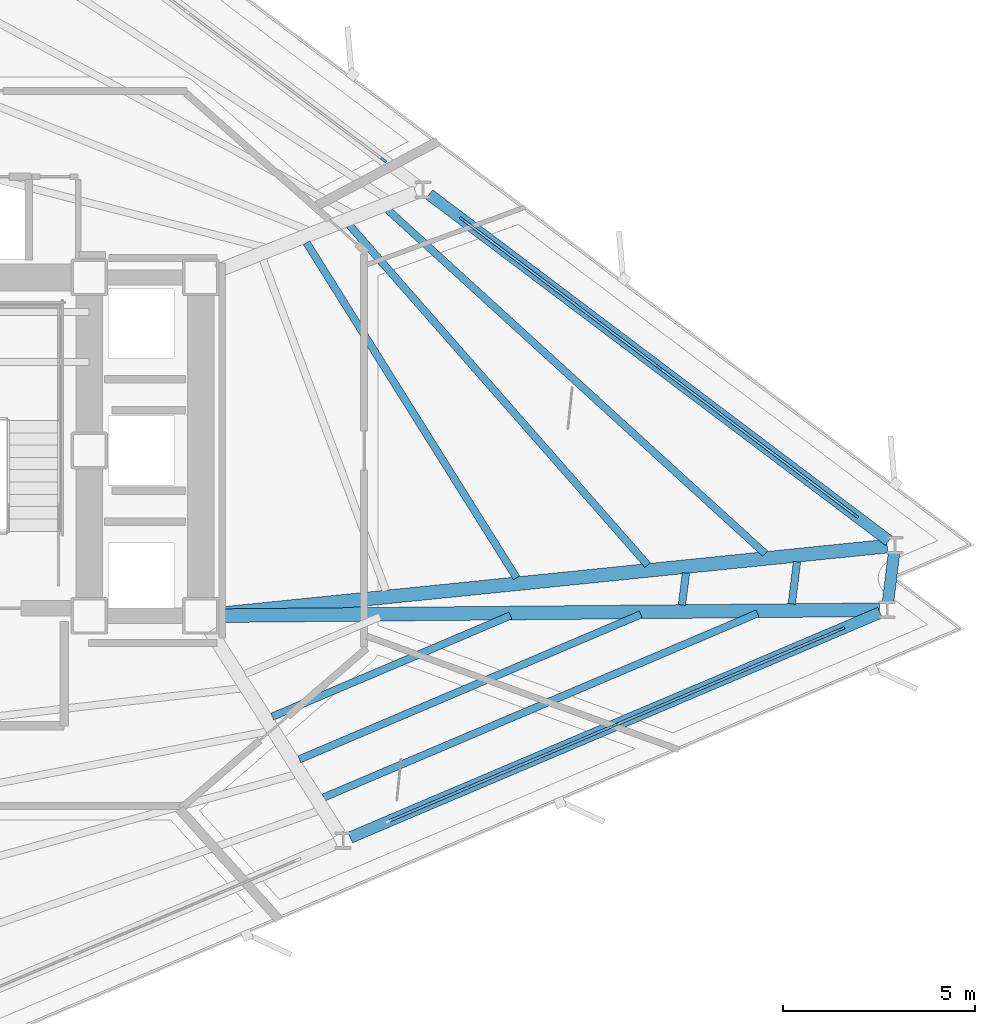
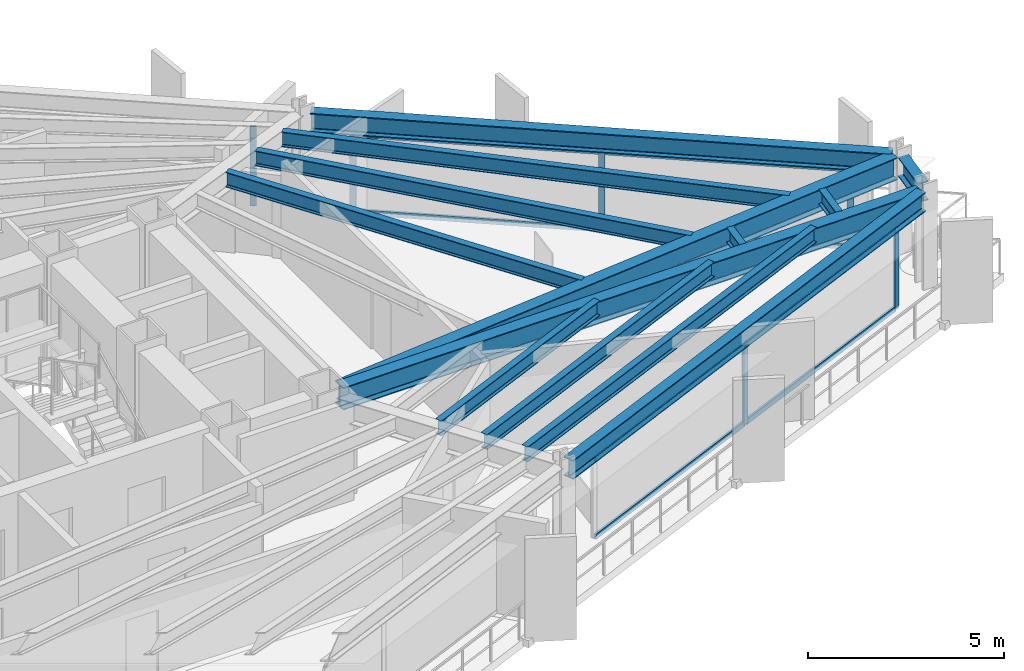
# One storey, part 4 of 13: 14 members, 13 beams, 3 elements without a shape of their own.
"""IFC4 building model written with IfcOpenShell, lengths in metres."""

import ifcopenshell
import ifcopenshell.guid

model = None  # the IFC model being written
_history = None  # IfcOwnerHistory: only IFC2X3 demands one
_inside = {}  # id of a spatial element -> (the spatial element, [elements in it])
_under = {}  # id of a project, library or spatial element -> (it, [spatial elements below it])
_declared = {}  # id of a project -> (the project, [libraries it declares])
_typed = {}  # id of a type object -> (the type object, [elements of that type])
_made_of = {}  # id of a material, layer set ... -> (it, [elements and type objects made of it])


def new_model(schema):
    """Start an empty IFC model of exactly this schema.

    Asked for "IFC4X3", IfcOpenShell would pick the latest addendum, in which some entities
    have other attributes; the version numbers below select the first issue.
    IFC2X3 requires an IfcOwnerHistory on every rooted entity: one is made here for all.
    """
    global model, _history
    if schema == "IFC4X3":
        model = ifcopenshell.file(schema_version=(4, 3, 0, 0))
    else:
        model = ifcopenshell.file(schema=schema)
    _inside.clear()
    _under.clear()
    _declared.clear()
    _typed.clear()
    _made_of.clear()
    _history = None
    if model.schema == "IFC2X3":
        org = make("IfcOrganization", Name="unknown")
        user = make(
            "IfcPersonAndOrganization",
            ThePerson=make("IfcPerson", FamilyName="unknown"),
            TheOrganization=org,
        )
        app = make(
            "IfcApplication",
            ApplicationDeveloper=org,
            Version="unknown",
            ApplicationFullName="unknown",
            ApplicationIdentifier="unknown",
        )
        _history = make(
            "IfcOwnerHistory",
            OwningUser=user,
            OwningApplication=app,
            ChangeAction="ADDED",
            CreationDate=0,
        )
    return model


def make(cls, **values):
    """One entity of the class cls with the attributes given. An attribute that is None is left unset."""
    return model.create_entity(
        cls, **{name: value for name, value in values.items() if value is not None}
    )


def rooted(cls, **values):
    """An entity with a GlobalId (a new one), such as an element, a storey or a relation."""
    return make(cls, GlobalId=ifcopenshell.guid.new(), OwnerHistory=_history, **values)


def si_unit(unit_type, name, prefix=None):
    """IfcSIUnit, for example si_unit("LENGTHUNIT", "METRE", prefix="MILLI")."""
    return make("IfcSIUnit", UnitType=unit_type, Prefix=prefix, Name=name)


def assignment(units):
    """IfcUnitAssignment: the units of a project."""
    return None if units is None else make("IfcUnitAssignment", Units=units)


def point(xyz):
    """IfcCartesianPoint."""
    return None if xyz is None else make("IfcCartesianPoint", Coordinates=xyz)


def direction(xyz):
    """IfcDirection."""
    return None if xyz is None else make("IfcDirection", DirectionRatios=xyz)


def frame(location, z_axis=None, x_axis=None):
    """IfcAxis2Placement3D, a coordinate frame: its origin and axes. An axis left out is left unset."""
    return make(
        "IfcAxis2Placement3D",
        Location=point(location),
        Axis=direction(z_axis),
        RefDirection=direction(x_axis),
    )


def frame_2d(location, x_axis=None):
    """IfcAxis2Placement2D, a coordinate frame in the plane: its origin and x axis."""
    return make(
        "IfcAxis2Placement2D", Location=point(location), RefDirection=direction(x_axis)
    )


def origin():
    """The frame at (0, 0, 0) with its axes left unset."""
    return frame((0.0, 0.0, 0.0))


def origin_2d():
    """The frame at (0, 0) in the plane with its x axis left unset."""
    return frame_2d((0.0, 0.0))


def place(relative_to, where):
    """IfcLocalPlacement: puts the frame where relative to a parent placement (None: the world)."""
    return make(
        "IfcLocalPlacement", PlacementRelTo=relative_to, RelativePlacement=where
    )


def context(
    kind, dimensions, precision=None, world=None, true_north=None, identifier=None
):
    """IfcGeometricRepresentationContext, for example the 3D "Model" context."""
    return make(
        "IfcGeometricRepresentationContext",
        ContextIdentifier=identifier,
        ContextType=kind,
        CoordinateSpaceDimension=dimensions,
        Precision=precision,
        WorldCoordinateSystem=world,
        TrueNorth=true_north,
    )


def subcontext(parent, identifier, kind, view, scale=None):
    """IfcGeometricRepresentationSubContext, for example "Body" below "Model"."""
    return make(
        "IfcGeometricRepresentationSubContext",
        ContextIdentifier=identifier,
        ContextType=kind,
        ParentContext=parent,
        TargetScale=scale,
        TargetView=view,
    )


def project(units=None, contexts=None):
    """IfcProject with its units and contexts."""
    return rooted(
        "IfcProject",
        Name="project",
        RepresentationContexts=contexts,
        UnitsInContext=assignment(units),
    )


def spatial(cls, under=None, at=None, **own):
    """A site, building, storey or space (cls), placed at a placement, below another one or the project."""
    s = rooted(cls, ObjectPlacement=at, **own)
    if under is not None:
        _under.setdefault(under.id(), (under, []))[1].append(s)
    return s


def profile(cls, at=None, kind="AREA", **sizes):
    """A parametric profile (cls). Its sizes go by their IFC names, for example OverallWidth=200.0."""
    return make(cls, ProfileType=kind, Position=at, **sizes)


def rectangle(**sizes):
    """IfcRectangleProfileDef."""
    return profile("IfcRectangleProfileDef", **sizes)


def i_section(**sizes):
    """IfcIShapeProfileDef."""
    return profile("IfcIShapeProfileDef", **sizes)


def extrude(swept, where, along, depth):
    """IfcExtrudedAreaSolid: the profile swept, set in the frame where, extruded along a direction by depth."""
    return make(
        "IfcExtrudedAreaSolid",
        SweptArea=swept,
        Position=where,
        ExtrudedDirection=direction(along),
        Depth=depth,
    )


def shape(context_of_items, identifier, shape_type, items):
    """IfcShapeRepresentation: the items that make up one representation, for example the "Body"."""
    return make(
        "IfcShapeRepresentation",
        ContextOfItems=context_of_items,
        RepresentationIdentifier=identifier,
        RepresentationType=shape_type,
        Items=items,
    )


def material(Name=None, Category=None):
    """IfcMaterial."""
    return make("IfcMaterial", Name=Name, Category=Category)


def layer(
    of_material, thickness, ventilated=None, Name=None, Category=None, Priority=None
):
    """IfcMaterialLayer: one layer of a wall or slab, of a material (None: an air gap)."""
    return make(
        "IfcMaterialLayer",
        Material=of_material,
        LayerThickness=thickness,
        IsVentilated=ventilated,
        Name=Name,
        Category=Category,
        Priority=Priority,
    )


def layer_set(layers, Name=None):
    """IfcMaterialLayerSet."""
    return make("IfcMaterialLayerSet", MaterialLayers=layers, LayerSetName=Name)


def material_profile(
    of_material, cross_section, Name=None, Category=None, Priority=None
):
    """IfcMaterialProfile: a cross section and its material."""
    return make(
        "IfcMaterialProfile",
        Name=Name,
        Material=of_material,
        Profile=cross_section,
        Priority=Priority,
        Category=Category,
    )


def profile_set(profiles, Name=None, composite=None):
    """IfcMaterialProfileSet."""
    return make(
        "IfcMaterialProfileSet",
        Name=Name,
        MaterialProfiles=profiles,
        CompositeProfile=composite,
    )


def made_of(thing, what):
    """Note that an element or type object is made of a material, layer set ...; save() writes the relation."""
    if what is not None:
        _made_of.setdefault(what.id(), (what, []))[1].append(thing)
    return thing


def type_object(cls, material=None, **own):
    """A type object (cls), such as IfcWallType, which elements share."""
    return made_of(rooted(cls, **own), material)


def element(
    cls,
    number,
    at=None,
    inside=None,
    cuts=None,
    type_object=None,
    material=None,
    context=None,
    identifier="Body",
    shape_type=None,
    held_by="IfcProductDefinitionShape",
    body=None,
    shapes=None,
    **own,
):
    """One element of the class cls, such as IfcWall. Its Tag is "e" and its number.

    at: its placement. inside: the storey or other place that contains it. cuts: it is an
    opening in that element (IfcRelVoidsElement). A single representation is given by context,
    identifier, shape_type and body (its items); several are given by shapes. held_by: the class
    of the entity that holds the representations. save() writes the other relations.
    """
    e = rooted(cls, Tag="e%d" % number, ObjectPlacement=at, **own)
    if body is not None:
        shapes = [shape(context, identifier, shape_type, body)]
    if shapes is not None:
        e.Representation = make(held_by, Representations=shapes)
    if inside is not None:
        _inside.setdefault(inside.id(), (inside, []))[1].append(e)
    if cuts is not None:
        rooted(
            "IfcRelVoidsElement", RelatingBuildingElement=cuts, RelatedOpeningElement=e
        )
    if type_object is not None:
        _typed.setdefault(type_object.id(), (type_object, []))[1].append(e)
    return made_of(e, material)


def aggregate(whole, parts):
    """IfcRelAggregates: a whole, such as a stair, and the parts it consists of."""
    return rooted("IfcRelAggregates", RelatingObject=whole, RelatedObjects=parts)


def save(model, path):
    """Write the relations noted so far, then the file.

    IfcRelAggregates (storeys below a building ...), IfcRelContainedInSpatialStructure (elements
    in a storey), IfcRelDefinesByType, IfcRelAssociatesMaterial and IfcRelDeclares: one each for
    every whole, place, type object, material and project.
    """
    for whole, parts in _under.values():
        aggregate(whole, parts)
    for where, things in _inside.values():
        rooted(
            "IfcRelContainedInSpatialStructure",
            RelatedElements=things,
            RelatingStructure=where,
        )
    for kind, things in _typed.values():
        rooted("IfcRelDefinesByType", RelatedObjects=things, RelatingType=kind)
    for what, things in _made_of.values():
        rooted("IfcRelAssociatesMaterial", RelatedObjects=things, RelatingMaterial=what)
    for by, libraries in _declared.values():
        rooted("IfcRelDeclares", RelatingContext=by, RelatedDefinitions=libraries)
    model.write(path)


model = new_model("IFC4")

# Units and contexts
model_context = context("Model", 3, precision=1e-05, world=origin(), true_north=direction((0.0, 1.0)))
body_context = subcontext(model_context, "Body", "Model", "MODEL_VIEW")
ifc_project = project(units=[si_unit("LENGTHUNIT", "METRE"), si_unit("AREAUNIT", "SQUARE_METRE"), si_unit("VOLUMEUNIT", "CUBIC_METRE"), si_unit("PLANEANGLEUNIT", "RADIAN"), si_unit("MASSUNIT", "GRAM", prefix="KILO")], contexts=[model_context])

# Site, building, storey
site_placement = place(None, origin())
site = spatial("IfcSite", under=ifc_project, at=site_placement, CompositionType="ELEMENT")
building_placement = place(site_placement, origin())
building = spatial("IfcBuilding", under=site, at=building_placement, Name="Rocaltana Carrier Exchange", CompositionType="ELEMENT")
storey_placement = place(building_placement, frame((0.0, 0.0, 69.760009765625)))
storey = spatial("IfcBuildingStorey", under=building, at=storey_placement, Name="L21", CompositionType="ELEMENT", Elevation=69.760009765625)

# Curtain wall, members
ifc_material_1 = material(Name="Aluminium 6063-T6", Category="aluminium")
ifc_layer = layer(ifc_material_1, 0.1650390625)
ifc_layer_set = layer_set([ifc_layer], Name="Aluminium 6063-T6")
curtain_wall_type = type_object("IfcCurtainWallType", Name="Lower-Mid Stepped Curtain Wall CW-02", PredefinedType="NOTDEFINED", material=ifc_layer_set)
curtain_wall_1_placement = place(storey_placement, origin())
curtain_wall_1 = element("IfcCurtainWall", 1, at=curtain_wall_1_placement, inside=storey, type_object=curtain_wall_type, Name="L21 CW-02 Run CW-L21-F1S1", PredefinedType="NOTDEFINED")
ifc_material_2 = material(Name="Aluminium 6063-T6", Category="aluminium")
ifc_material_profile_1 = material_profile(ifc_material_2, rectangle(XDim=0.06494140625, YDim=0.1650390625, at=origin_2d()), Name="AL-65X165")
ifc_profile_set_1 = profile_set([ifc_material_profile_1], Name="Aluminium 6063-T6")
member_type_1 = type_object("IfcMemberType", Name="CW-02 Mullion AL-65X165", PredefinedType="MULLION", material=ifc_profile_set_1)
member_1_placement = place(storey_placement, frame((25.978759765625, -1.69482421875, 0.0), z_axis=(0.0, 0.0, 1.0), x_axis=(-0.601806560833, -0.798641886792, 0.0)))
member_1 = element("IfcMember", 2, at=member_1_placement, type_object=member_type_1, Name="CW-02 mullion 1", PredefinedType="MULLION", context=body_context, shape_type="SweptSolid", body=[
    extrude(rectangle(XDim=0.06494140625, YDim=0.1650390625, at=origin_2d()), origin(), (0.0, 0.0, 1.0), 2.47802734375),
])
member_2_placement = place(storey_placement, frame((20.86669921875, 2.1572265625, 0.0), z_axis=(0.0, 0.0, 1.0), x_axis=(-0.601806560833, -0.798641886792, 0.0)))
member_2 = element("IfcMember", 3, at=member_2_placement, type_object=member_type_1, Name="CW-02 mullion 2", PredefinedType="MULLION", context=body_context, shape_type="SweptSolid", body=[
    extrude(rectangle(XDim=0.06494140625, YDim=0.1650390625, at=origin_2d()), origin(), (0.0, 0.0, 1.0), 2.47802734375),
])
member_3_placement = place(storey_placement, frame((15.754638671875, 6.00927734375, 0.0), z_axis=(0.0, 0.0, 1.0), x_axis=(-0.601806560833, -0.798641886792, 0.0)))
member_3 = element("IfcMember", 4, at=member_3_placement, type_object=member_type_1, Name="CW-02 mullion 3", PredefinedType="MULLION", context=body_context, shape_type="SweptSolid", body=[
    extrude(rectangle(XDim=0.06494140625, YDim=0.1650390625, at=origin_2d()), origin(), (0.0, 0.0, 1.0), 2.47802734375),
])

# Curtain wall, member
curtain_wall_2_placement = place(storey_placement, origin())
curtain_wall_2 = element("IfcCurtainWall", 5, at=curtain_wall_2_placement, inside=storey, type_object=curtain_wall_type, Name="L21 CW-02 Run CW-L21-F1S2", PredefinedType="NOTDEFINED")
member_4_placement = place(storey_placement, frame((13.706298828125, 7.552978515625, 0.0), z_axis=(0.0, 0.0, 1.0), x_axis=(-0.601815253533, -0.798635336443, 0.0)))
member_4 = element("IfcMember", 6, at=member_4_placement, type_object=member_type_1, Name="CW-02 mullion 1", PredefinedType="MULLION", context=body_context, shape_type="SweptSolid", body=[
    extrude(rectangle(XDim=0.06494140625, YDim=0.1650390625, at=origin_2d()), origin(), (0.0, 0.0, 1.0), 2.47802734375),
])
aggregate(curtain_wall_2, [member_4])

# Curtain wall, members
curtain_wall_3_placement = place(storey_placement, origin())
curtain_wall_3 = element("IfcCurtainWall", 7, at=curtain_wall_3_placement, inside=storey, type_object=curtain_wall_type, Name="L21 CW-02 Run CW-L21-F3S3", PredefinedType="NOTDEFINED")
member_5_placement = place(storey_placement, frame((19.72509765625, -7.141357421875, 0.0), z_axis=(0.0, 0.0, 1.0), x_axis=(-0.390735259141, 0.920503100084, 0.0)))
member_5 = element("IfcMember", 8, at=member_5_placement, type_object=member_type_1, Name="CW-02 mullion 2", PredefinedType="MULLION", context=body_context, shape_type="SweptSolid", body=[
    extrude(rectangle(XDim=0.06494140625, YDim=0.1650390625, at=origin_2d()), origin(), (0.0, 0.0, 1.0), 2.47802734375),
])
member_6_placement = place(storey_placement, frame((25.6171875, -4.64013671875, 0.0), z_axis=(0.0, 0.0, 1.0), x_axis=(-0.390735259141, 0.920503100084, 0.0)))
member_6 = element("IfcMember", 9, at=member_6_placement, type_object=member_type_1, Name="CW-02 mullion 3", PredefinedType="MULLION", context=body_context, shape_type="SweptSolid", body=[
    extrude(rectangle(XDim=0.06494140625, YDim=0.1650390625, at=origin_2d()), origin(), (0.0, 0.0, 1.0), 2.47802734375),
])

# Member
ifc_material_3 = material(Name="Aluminium 6063-T6", Category="aluminium")
ifc_material_profile_2 = material_profile(ifc_material_3, rectangle(XDim=0.06494140625, YDim=0.1650390625, at=origin_2d()), Name="AL-65X165")
ifc_profile_set_2 = profile_set([ifc_material_profile_2], Name="Aluminium 6063-T6")
member_type_2 = type_object("IfcMemberType", Name="CW-02 Transom AL-65X165", PredefinedType="USERDEFINED", material=ifc_profile_set_2)
member_7_placement = place(storey_placement, frame((25.95263671875, -1.67529296875, 0.032470703125), z_axis=(-0.798638496284, 0.601811060261, 0.0), x_axis=(-0.601811060261, -0.798638496284, 0.0)))
member_7 = element("IfcMember", 10, at=member_7_placement, type_object=member_type_2, Name="CW-02 transom 1.1", ObjectType="TRANSOM", PredefinedType="USERDEFINED", context=body_context, shape_type="SweptSolid", body=[
    extrude(rectangle(XDim=0.06494140625, YDim=0.1650390625, at=origin_2d()), origin(), (0.0, 0.0, 1.0), 6.3359375),
])

member_8_placement = place(storey_placement, frame((25.95263671875, -1.67529296875, 2.445556640625), z_axis=(-0.798638496284, 0.601811060261, 0.0), x_axis=(-0.601811060261, -0.798638496284, 0.0)))
member_8 = element("IfcMember", 11, at=member_8_placement, type_object=member_type_2, Name="CW-02 transom 1.2", ObjectType="TRANSOM", PredefinedType="USERDEFINED", context=body_context, shape_type="SweptSolid", body=[
    extrude(rectangle(XDim=0.06494140625, YDim=0.1650390625, at=origin_2d()), origin(), (0.0, 0.0, 1.0), 6.3359375),
])

member_9_placement = place(storey_placement, frame((20.8408203125, 2.1767578125, 0.032470703125), z_axis=(-0.798638496284, 0.601811060261, 0.0), x_axis=(-0.601811060261, -0.798638496284, 0.0)))
member_9 = element("IfcMember", 12, at=member_9_placement, type_object=member_type_2, Name="CW-02 transom 2.1", ObjectType="TRANSOM", PredefinedType="USERDEFINED", context=body_context, shape_type="SweptSolid", body=[
    extrude(rectangle(XDim=0.06494140625, YDim=0.1650390625, at=origin_2d()), origin(), (0.0, 0.0, 1.0), 6.3359375),
])

member_10_placement = place(storey_placement, frame((20.8408203125, 2.1767578125, 2.445556640625), z_axis=(-0.798638496284, 0.601811060261, 0.0), x_axis=(-0.601811060261, -0.798638496284, 0.0)))
member_10 = element("IfcMember", 13, at=member_10_placement, type_object=member_type_2, Name="CW-02 transom 2.2", ObjectType="TRANSOM", PredefinedType="USERDEFINED", context=body_context, shape_type="SweptSolid", body=[
    extrude(rectangle(XDim=0.06494140625, YDim=0.1650390625, at=origin_2d()), origin(), (0.0, 0.0, 1.0), 6.3359375),
])

aggregate(curtain_wall_1, [member_1, member_2, member_3, member_7, member_8, member_9, member_10])

member_11_placement = place(storey_placement, frame((13.863037109375, -9.629638671875, 0.032470703125), z_axis=(0.920502835622, 0.390735882167, 0.0), x_axis=(-0.390735882167, 0.920502835622, 0.0)))
member_11 = element("IfcMember", 14, at=member_11_placement, type_object=member_type_2, Name="CW-02 transom 1.1", ObjectType="TRANSOM", PredefinedType="USERDEFINED", context=body_context, shape_type="SweptSolid", body=[
    extrude(rectangle(XDim=0.06494140625, YDim=0.1650390625, at=origin_2d()), origin(), (0.0, 0.0, 1.0), 6.335693359375),
])

member_12_placement = place(storey_placement, frame((13.863037109375, -9.629638671875, 2.445556640625), z_axis=(0.920502835622, 0.390735882167, 0.0), x_axis=(-0.390735882167, 0.920502835622, 0.0)))
member_12 = element("IfcMember", 15, at=member_12_placement, type_object=member_type_2, Name="CW-02 transom 1.2", ObjectType="TRANSOM", PredefinedType="USERDEFINED", context=body_context, shape_type="SweptSolid", body=[
    extrude(rectangle(XDim=0.06494140625, YDim=0.1650390625, at=origin_2d()), origin(), (0.0, 0.0, 1.0), 6.335693359375),
])

member_13_placement = place(storey_placement, frame((19.7548828125, -7.128662109375, 0.032470703125), z_axis=(0.920494859312, 0.390754672372, 0.0), x_axis=(-0.390754672372, 0.920494859312, 0.0)))
member_13 = element("IfcMember", 16, at=member_13_placement, type_object=member_type_2, Name="CW-02 transom 2.1", ObjectType="TRANSOM", PredefinedType="USERDEFINED", context=body_context, shape_type="SweptSolid", body=[
    extrude(rectangle(XDim=0.06494140625, YDim=0.1650390625, at=origin_2d()), origin(), (0.0, 0.0, 1.0), 6.3359375),
])

member_14_placement = place(storey_placement, frame((19.7548828125, -7.128662109375, 2.445556640625), z_axis=(0.920494859312, 0.390754672372, 0.0), x_axis=(-0.390754672372, 0.920494859312, 0.0)))
member_14 = element("IfcMember", 17, at=member_14_placement, type_object=member_type_2, Name="CW-02 transom 2.2", ObjectType="TRANSOM", PredefinedType="USERDEFINED", context=body_context, shape_type="SweptSolid", body=[
    extrude(rectangle(XDim=0.06494140625, YDim=0.1650390625, at=origin_2d()), origin(), (0.0, 0.0, 1.0), 6.3359375),
])

aggregate(curtain_wall_3, [member_5, member_6, member_11, member_12, member_13, member_14])

# Beams
ifc_material_4 = material(Name="Steel S355", Category="steel")
ifc_material_profile_3 = material_profile(ifc_material_4, i_section(OverallWidth=0.193115234375, OverallDepth=0.466064453125, WebThickness=0.011474609375, FlangeThickness=0.01904296875, FilletRadius=0.013916015625, at=origin_2d()), Name="W18X65")
ifc_profile_set_3 = profile_set([ifc_material_profile_3], Name="Steel S355")
beam_type_1 = type_object("IfcBeamType", Name="Floor Joist W18X65", PredefinedType="JOIST", material=ifc_profile_set_3)
beam_1_placement = place(storey_placement, frame((17.1630859375, -3.311279296875, 2.864990234375), z_axis=(-0.531103653512, 0.847306856591, 0.0), x_axis=(-0.847306856591, -0.531103653512, 0.0)))
element("IfcBeam", 18, at=beam_1_placement, inside=storey, type_object=beam_type_1, Name="FJ-L21-01-2", PredefinedType="JOIST", context=body_context, shape_type="SweptSolid", body=[
    extrude(i_section(OverallWidth=0.193115234375, OverallDepth=0.466064453125, WebThickness=0.011474609375, FlangeThickness=0.01904296875, FilletRadius=0.013916015625, at=origin_2d()), origin(), (0.0, 0.0, 1.0), 10.285888671875),
])
beam_2_placement = place(storey_placement, frame((20.5712890625, -2.9794921875, 2.864990234375), z_axis=(-0.659558512546, 0.751653223587, 0.0), x_axis=(-0.751653223587, -0.659558512546, 0.0)))
element("IfcBeam", 19, at=beam_2_placement, inside=storey, type_object=beam_type_1, Name="FJ-L21-01-3", PredefinedType="JOIST", context=body_context, shape_type="SweptSolid", body=[
    extrude(i_section(OverallWidth=0.193115234375, OverallDepth=0.466064453125, WebThickness=0.011474609375, FlangeThickness=0.01904296875, FilletRadius=0.013916015625, at=origin_2d()), origin(), (0.0, 0.0, 1.0), 11.751708984375),
])
beam_3_placement = place(storey_placement, frame((23.626708984375, -2.68115234375, 2.864990234375), z_axis=(-0.739263706451, 0.673416046976, 0.0), x_axis=(-0.673416046976, -0.739263706451, 0.0)))
element("IfcBeam", 20, at=beam_3_placement, inside=storey, type_object=beam_type_1, Name="FJ-L21-01-4", PredefinedType="JOIST", context=body_context, shape_type="SweptSolid", body=[
    extrude(i_section(OverallWidth=0.193115234375, OverallDepth=0.466064453125, WebThickness=0.011474609375, FlangeThickness=0.01904296875, FilletRadius=0.013916015625, at=origin_2d()), origin(), (0.0, 0.0, 1.0), 13.269775390625),
])
beam_4_placement = place(storey_placement, frame((10.81103515625, -6.9208984375, 2.864990234375), z_axis=(0.920502665094, 0.390736283898, 0.0), x_axis=(-0.390736283898, 0.920502665094, 0.0)))
element("IfcBeam", 21, at=beam_4_placement, inside=storey, type_object=beam_type_1, Name="FJ-L21-11-2", PredefinedType="JOIST", context=body_context, shape_type="SweptSolid", body=[
    extrude(i_section(OverallWidth=0.193115234375, OverallDepth=0.466064453125, WebThickness=0.011474609375, FlangeThickness=0.01904296875, FilletRadius=0.013916015625, at=origin_2d()), origin(), (0.0, 0.0, 1.0), 6.7255859375),
])
beam_5_placement = place(storey_placement, frame((11.514404296875, -8.03125, 2.864990234375), z_axis=(0.920503721311, 0.390733795636, 0.0), x_axis=(-0.390733795636, 0.920503721311, 0.0)))
element("IfcBeam", 22, at=beam_5_placement, inside=storey, type_object=beam_type_1, Name="FJ-L21-11-3", PredefinedType="JOIST", context=body_context, shape_type="SweptSolid", body=[
    extrude(i_section(OverallWidth=0.193115234375, OverallDepth=0.466064453125, WebThickness=0.011474609375, FlangeThickness=0.01904296875, FilletRadius=0.013916015625, at=origin_2d()), origin(), (0.0, 0.0, 1.0), 9.6455078125),
])
beam_6_placement = place(storey_placement, frame((12.143798828125, -9.024658203125, 2.864990234375), z_axis=(0.920504513762, 0.390731928749, 0.0), x_axis=(-0.390731928749, 0.920504513762, 0.0)))
element("IfcBeam", 23, at=beam_6_placement, inside=storey, type_object=beam_type_1, Name="FJ-L21-11-4", PredefinedType="JOIST", context=body_context, shape_type="SweptSolid", body=[
    extrude(i_section(OverallWidth=0.193115234375, OverallDepth=0.466064453125, WebThickness=0.011474609375, FlangeThickness=0.01904296875, FilletRadius=0.013916015625, at=origin_2d()), origin(), (0.0, 0.0, 1.0), 12.2578125),
])
beam_7_placement = place(storey_placement, frame((21.464111328125, -4.01708984375, 2.864990234375), z_axis=(0.122022478493, 0.992527337025, 0.0), x_axis=(-0.992527337025, 0.122022478493, 0.0)))
element("IfcBeam", 24, at=beam_7_placement, inside=storey, type_object=beam_type_1, Name="FJ-L21-12-3", PredefinedType="JOIST", context=body_context, shape_type="SweptSolid", body=[
    extrude(i_section(OverallWidth=0.193115234375, OverallDepth=0.466064453125, WebThickness=0.011474609375, FlangeThickness=0.01904296875, FilletRadius=0.013916015625, at=origin_2d()), origin(), (0.0, 0.0, 1.0), 0.83642578125),
])
beam_8_placement = place(storey_placement, frame((24.31982421875, -3.991455078125, 2.864990234375), z_axis=(0.121834081675, 0.992550480602, 0.0), x_axis=(-0.992550480602, 0.121834081675, 0.0)))
element("IfcBeam", 25, at=beam_8_placement, inside=storey, type_object=beam_type_1, Name="FJ-L21-12-4", PredefinedType="JOIST", context=body_context, shape_type="SweptSolid", body=[
    extrude(i_section(OverallWidth=0.193115234375, OverallDepth=0.466064453125, WebThickness=0.011474609375, FlangeThickness=0.01904296875, FilletRadius=0.013916015625, at=origin_2d()), origin(), (0.0, 0.0, 1.0), 1.106201171875),
])
ifc_material_5 = material(Name="Steel S355", Category="steel")
ifc_material_profile_4 = material_profile(ifc_material_5, i_section(OverallWidth=0.35498046875, OverallDepth=0.695068359375, WebThickness=0.015380859375, FlangeThickness=0.02490234375, FilletRadius=0.01806640625, at=origin_2d()), Name="W27X146")
ifc_profile_set_4 = profile_set([ifc_material_profile_4], Name="Steel S355")
beam_type_2 = type_object("IfcBeamType", Name="Radial Girder W27X146", PredefinedType="BEAM", material=ifc_profile_set_4)
beam_9_placement = place(storey_placement, frame((9.41455078125, -4.252685546875, 2.75048828125), z_axis=(0.994884315386, 0.101020784983, 0.0), x_axis=(-0.101020784983, 0.994884315386, 0.0)))
element("IfcBeam", 26, at=beam_9_placement, inside=storey, type_object=beam_type_2, Name="RG-L21-01", PredefinedType="BEAM", context=body_context, shape_type="SweptSolid", body=[
    extrude(i_section(OverallWidth=0.35498046875, OverallDepth=0.695068359375, WebThickness=0.015380859375, FlangeThickness=0.02490234375, FilletRadius=0.01806640625, at=origin_2d()), origin(), (0.0, 0.0, 1.0), 17.477783203125),
])
beam_10_placement = place(storey_placement, frame((9.4169921875, -4.2958984375, 2.75048828125), z_axis=(0.999959286305, 0.009023620777, 0.0), x_axis=(-0.009023620777, 0.999959286305, 0.0)))
element("IfcBeam", 27, at=beam_10_placement, inside=storey, type_object=beam_type_2, Name="RG-L21-12", PredefinedType="BEAM", context=body_context, shape_type="SweptSolid", body=[
    extrude(i_section(OverallWidth=0.35498046875, OverallDepth=0.695068359375, WebThickness=0.015380859375, FlangeThickness=0.02490234375, FilletRadius=0.01806640625, at=origin_2d()), origin(), (0.0, 0.0, 1.0), 17.180419921875),
])
ifc_material_6 = material(Name="Steel S355", Category="steel")
ifc_material_profile_5 = material_profile(ifc_material_6, i_section(OverallWidth=0.300048828125, OverallDepth=0.60009765625, WebThickness=0.015380859375, FlangeThickness=0.030029296875, FilletRadius=0.027099609375, at=origin_2d()), Name="HEB600")
ifc_profile_set_5 = profile_set([ifc_material_profile_5], Name="Steel S355")
beam_type_3 = type_object("IfcBeamType", Name="Spandrel Edge Beam HEB600", PredefinedType="SPANDREL", material=ifc_profile_set_5)
beam_11_placement = place(storey_placement, frame((26.84228515625, -2.345703125, 2.798095703125), z_axis=(-0.798635336445, 0.60181525353, 0.0), x_axis=(-0.60181525353, -0.798635336445, 0.0)))
element("IfcBeam", 28, at=beam_11_placement, inside=storey, type_object=beam_type_3, Name="SP-L21-01", PredefinedType="SPANDREL", context=body_context, shape_type="SweptSolid", body=[
    extrude(i_section(OverallWidth=0.300048828125, OverallDepth=0.60009765625, WebThickness=0.015380859375, FlangeThickness=0.030029296875, FilletRadius=0.027099609375, at=origin_2d()), origin(), (0.0, 0.0, 1.0), 14.964599609375),
])
beam_12_placement = place(storey_placement, frame((12.83740234375, -10.06494140625, 2.798095703125), z_axis=(0.920499822103, 0.390742981394, 0.0), x_axis=(-0.390742981394, 0.920499822103, 0.0)))
element("IfcBeam", 29, at=beam_12_placement, inside=storey, type_object=beam_type_3, Name="SP-L21-11", PredefinedType="SPANDREL", context=body_context, shape_type="SweptSolid", body=[
    extrude(i_section(OverallWidth=0.300048828125, OverallDepth=0.60009765625, WebThickness=0.015380859375, FlangeThickness=0.030029296875, FilletRadius=0.027099609375, at=origin_2d()), origin(), (0.0, 0.0, 1.0), 14.96484375),
])
beam_13_placement = place(storey_placement, frame((26.822021484375, -3.939697265625, 2.798095703125), z_axis=(0.121973520022, 0.992533354812, 0.0), x_axis=(-0.992533354812, 0.121973520022, 0.0)))
element("IfcBeam", 30, at=beam_13_placement, inside=storey, type_object=beam_type_3, Name="SP-L21-12", PredefinedType="SPANDREL", context=body_context, shape_type="SweptSolid", body=[
    extrude(i_section(OverallWidth=0.300048828125, OverallDepth=0.60009765625, WebThickness=0.015380859375, FlangeThickness=0.030029296875, FilletRadius=0.027099609375, at=origin_2d()), origin(), (0.0, 0.0, 1.0), 1.282958984375),
])

save(model, "model.ifc")
